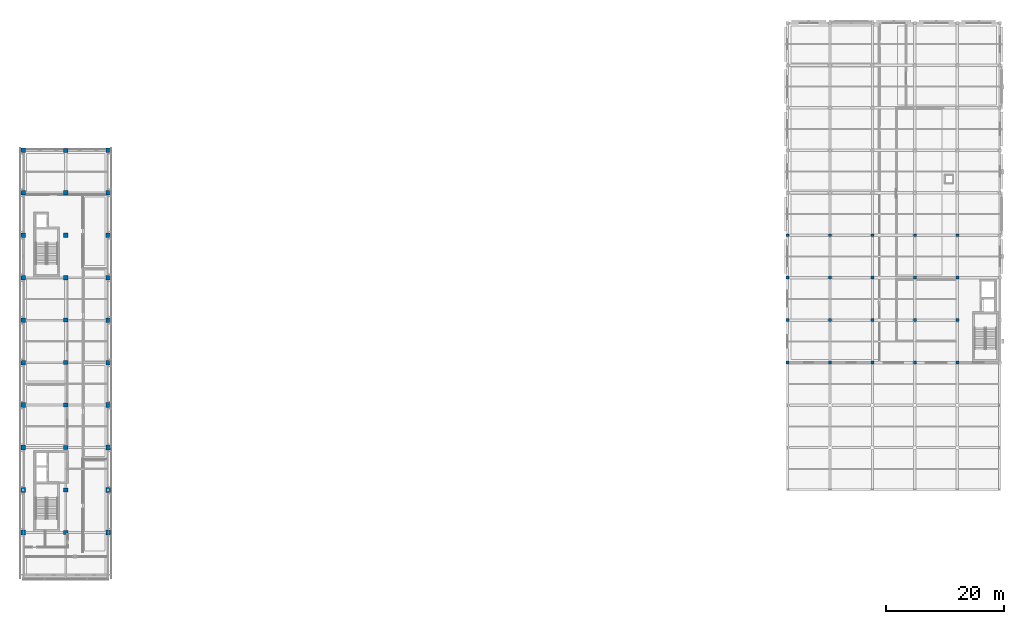
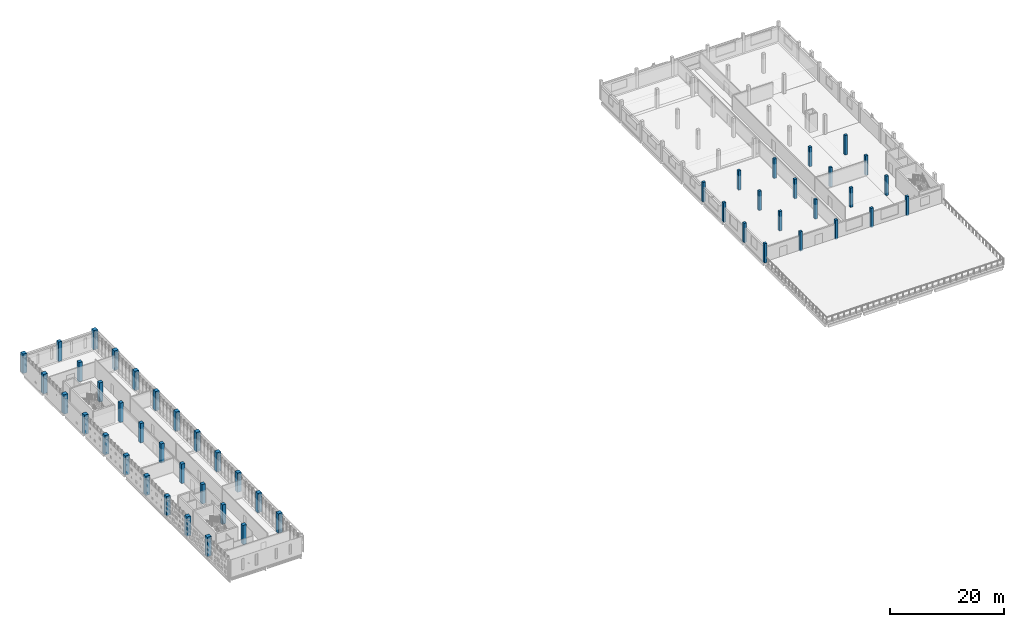
# One storey, part 1 of 33: 50 columns.
"""IFC4 building model written with IfcOpenShell, lengths in metres."""

from ifc_helpers import new_model, si_unit, direction, frame, origin, origin_2d, place, context, subcontext, project, spatial, rectangle, extrude, material, material_profile, profile_set, type_object, element, save


model = new_model("IFC4")

# Units and contexts
model_context = context("Model", 3, precision=1e-05, world=origin(), true_north=direction((0.0, 1.0)))
body_context = subcontext(model_context, "Body", "Model", "MODEL_VIEW")
ifc_project = project(units=[si_unit("LENGTHUNIT", "METRE"), si_unit("AREAUNIT", "SQUARE_METRE"), si_unit("VOLUMEUNIT", "CUBIC_METRE"), si_unit("PLANEANGLEUNIT", "RADIAN"), si_unit("MASSUNIT", "GRAM", prefix="KILO")], contexts=[model_context])

# Site, building, storey
site_placement = place(None, origin())
site = spatial("IfcSite", under=ifc_project, at=site_placement, CompositionType="ELEMENT")
building_placement = place(site_placement, origin())
building = spatial("IfcBuilding", under=site, at=building_placement, Name="Valkovuoma Quantum and Materials Research Institute", CompositionType="ELEMENT")
storey_placement = place(building_placement, frame((0.0, 0.0, 21.43994140625)))
storey = spatial("IfcBuildingStorey", under=building, at=storey_placement, Name="L05", CompositionType="ELEMENT", Elevation=21.43994140625)

# Columns
ifc_material_1 = material(Name="Concrete C40/50", Category="concrete")
ifc_material_profile_1 = material_profile(ifc_material_1, rectangle(XDim=0.5, YDim=0.5, at=origin_2d()), Name="Concrete C40/50")
ifc_profile_set_1 = profile_set([ifc_material_profile_1], Name="Concrete C40/50")
column_type_1 = type_object("IfcColumnType", Name="Col-C-RC500", PredefinedType="COLUMN", material=ifc_profile_set_1)
for number, where, z_axis, x_axis, name in (
    (1, (129.60009765625, 57.60009765625, 0.0), (0.0, 0.0, 1.0), (1.0, 0.0, 0.0), "L05 column 19J"),
    (2, (129.60009765625, 64.800048828125, 0.0), (0.0, 0.0, 1.0), (1.0, 0.0, 0.0), "L05 column 19K"),
    (3, (129.60009765625, 72.0, 0.0), (0.0, 0.0, 1.0), (1.0, 0.0, 0.0), "L05 column 19L"),
    (4, (129.60009765625, 79.199951171875, 0.0), (0.0, 0.0, 1.0), (1.0, 0.0, 0.0), "L05 column 19M"),
    (5, (136.800048828125, 57.60009765625, 0.0), (0.0, 0.0, 1.0), (1.0, 0.0, 0.0), "L05 column 20J"),
    (6, (136.800048828125, 64.800048828125, 0.0), (0.0, 0.0, 1.0), (1.0, 0.0, 0.0), "L05 column 20K"),
    (7, (136.800048828125, 72.0, 0.0), (0.0, 0.0, 1.0), (1.0, 0.0, 0.0), "L05 column 20L"),
    (8, (136.800048828125, 79.199951171875, 0.0), (0.0, 0.0, 1.0), (1.0, 0.0, 0.0), "L05 column 20M"),
    (9, (144.0, 57.60009765625, 0.0), (0.0, 0.0, 1.0), (1.0, 0.0, 0.0), "L05 column 21J"),
    (10, (144.0, 64.800048828125, 0.0), (0.0, 0.0, 1.0), (1.0, 0.0, 0.0), "L05 column 21K"),
    (11, (144.0, 72.0, 0.0), (0.0, 0.0, 1.0), (1.0, 0.0, 0.0), "L05 column 21L"),
    (12, (144.0, 79.199951171875, 0.0), (0.0, 0.0, 1.0), (1.0, 0.0, 0.0), "L05 column 21M"),
    (13, (151.199951171875, 57.60009765625, 0.0), (0.0, 0.0, 1.0), (1.0, 0.0, 0.0), "L05 column 22J"),
    (14, (151.199951171875, 64.800048828125, 0.0), (0.0, 0.0, 1.0), (1.0, 0.0, 0.0), "L05 column 22K"),
    (15, (151.199951171875, 72.0, 0.0), (0.0, 0.0, 1.0), (1.0, 0.0, 0.0), "L05 column 22L"),
    (16, (151.199951171875, 79.199951171875, 0.0), (0.0, 0.0, 1.0), (1.0, 0.0, 0.0), "L05 column 22M"),
    (17, (158.39990234375, 57.60009765625, 0.0), (0.0, 0.0, 1.0), (1.0, 0.0, 0.0), "L05 column 23J"),
    (18, (158.39990234375, 64.800048828125, 0.0), (0.0, 0.0, 1.0), (1.0, 0.0, 0.0), "L05 column 23K"),
    (19, (158.39990234375, 72.0, 0.0), (0.0, 0.0, 1.0), (1.0, 0.0, 0.0), "L05 column 23L"),
    (20, (158.39990234375, 79.199951171875, 0.0), (0.0, 0.0, 1.0), (1.0, 0.0, 0.0), "L05 column 23M"),
):
    element("IfcColumn", number, at=place(storey_placement, frame(where, z_axis=z_axis, x_axis=x_axis)), inside=storey, type_object=column_type_1, Name=name, PredefinedType="COLUMN", context=body_context, shape_type="SweptSolid", body=[
        extrude(rectangle(XDim=0.5, YDim=0.5, at=origin_2d()), origin(), (0.0, 0.0, 1.0), 4.16015625),
    ])
ifc_material_2 = material(Name="Concrete C40/50", Category="concrete")
ifc_material_profile_2 = material_profile(ifc_material_2, rectangle(XDim=0.699951171875, YDim=0.699951171875, at=origin_2d()), Name="Concrete C40/50")
ifc_profile_set_2 = profile_set([ifc_material_profile_2], Name="Concrete C40/50")
column_type_2 = type_object("IfcColumnType", Name="Col-C-RC700", PredefinedType="COLUMN", material=ifc_profile_set_2)
for number, where, z_axis, x_axis, name in (
    (21, (7.199951171875, 28.800048828125, 0.0), (0.0, 0.0, 1.0), (1.0, 0.0, 0.0), "L05 column 02E"),
    (22, (7.199951171875, 36.0, 0.0), (0.0, 0.0, 1.0), (1.0, 0.0, 0.0), "L05 column 02F"),
    (23, (7.199951171875, 43.199951171875, 0.0), (0.0, 0.0, 1.0), (1.0, 0.0, 0.0), "L05 column 02G"),
    (24, (7.199951171875, 50.39990234375, 0.0), (0.0, 0.0, 1.0), (1.0, 0.0, 0.0), "L05 column 02H"),
    (25, (7.199951171875, 57.60009765625, 0.0), (0.0, 0.0, 1.0), (1.0, 0.0, 0.0), "L05 column 02J"),
    (26, (7.199951171875, 64.800048828125, 0.0), (0.0, 0.0, 1.0), (1.0, 0.0, 0.0), "L05 column 02K"),
    (27, (7.199951171875, 72.0, 0.0), (0.0, 0.0, 1.0), (1.0, 0.0, 0.0), "L05 column 02L"),
    (28, (7.199951171875, 79.199951171875, 0.0), (0.0, 0.0, 1.0), (1.0, 0.0, 0.0), "L05 column 02M"),
    (29, (7.199951171875, 86.39990234375, 0.0), (0.0, 0.0, 1.0), (1.0, 0.0, 0.0), "L05 column 02N"),
    (30, (7.199951171875, 93.60009765625, 0.0), (0.0, 0.0, 1.0), (1.0, 0.0, 0.0), "L05 column 02P"),
):
    element("IfcColumn", number, at=place(storey_placement, frame(where, z_axis=z_axis, x_axis=x_axis)), inside=storey, type_object=column_type_2, Name=name, PredefinedType="COLUMN", context=body_context, shape_type="SweptSolid", body=[
        extrude(rectangle(XDim=0.699951171875, YDim=0.699951171875, at=origin_2d()), origin(), (0.0, 0.0, 1.0), 4.16015625),
    ])
ifc_material_3 = material(Name="Concrete C50/60", Category="concrete")
ifc_material_profile_3 = material_profile(ifc_material_3, rectangle(XDim=0.800048828125, YDim=0.800048828125, at=origin_2d()), Name="Concrete C50/60")
ifc_profile_set_3 = profile_set([ifc_material_profile_3], Name="Concrete C50/60")
column_type_3 = type_object("IfcColumnType", Name="Col-C-RC800", PredefinedType="COLUMN", material=ifc_profile_set_3)
for number, where, z_axis, x_axis, name in (
    (31, (0.0, 28.800048828125, 0.0), (0.0, 0.0, 1.0), (1.0, 0.0, 0.0), "L05 column 01E"),
    (32, (0.0, 36.0, 0.0), (0.0, 0.0, 1.0), (1.0, 0.0, 0.0), "L05 column 01F"),
    (33, (0.0, 43.199951171875, 0.0), (0.0, 0.0, 1.0), (1.0, 0.0, 0.0), "L05 column 01G"),
    (34, (0.0, 50.39990234375, 0.0), (0.0, 0.0, 1.0), (1.0, 0.0, 0.0), "L05 column 01H"),
    (35, (0.0, 57.60009765625, 0.0), (0.0, 0.0, 1.0), (1.0, 0.0, 0.0), "L05 column 01J"),
    (36, (0.0, 64.800048828125, 0.0), (0.0, 0.0, 1.0), (1.0, 0.0, 0.0), "L05 column 01K"),
    (37, (0.0, 72.0, 0.0), (0.0, 0.0, 1.0), (1.0, 0.0, 0.0), "L05 column 01L"),
    (38, (0.0, 79.199951171875, 0.0), (0.0, 0.0, 1.0), (1.0, 0.0, 0.0), "L05 column 01M"),
    (39, (0.0, 86.39990234375, 0.0), (0.0, 0.0, 1.0), (1.0, 0.0, 0.0), "L05 column 01N"),
    (40, (0.0, 93.60009765625, 0.0), (0.0, 0.0, 1.0), (1.0, 0.0, 0.0), "L05 column 01P"),
    (41, (14.39990234375, 28.800048828125, 0.0), (0.0, 0.0, 1.0), (1.0, 0.0, 0.0), "L05 column 03E"),
    (42, (14.39990234375, 36.0, 0.0), (0.0, 0.0, 1.0), (1.0, 0.0, 0.0), "L05 column 03F"),
    (43, (14.39990234375, 43.199951171875, 0.0), (0.0, 0.0, 1.0), (1.0, 0.0, 0.0), "L05 column 03G"),
    (44, (14.39990234375, 50.39990234375, 0.0), (0.0, 0.0, 1.0), (1.0, 0.0, 0.0), "L05 column 03H"),
    (45, (14.39990234375, 57.60009765625, 0.0), (0.0, 0.0, 1.0), (1.0, 0.0, 0.0), "L05 column 03J"),
    (46, (14.39990234375, 64.800048828125, 0.0), (0.0, 0.0, 1.0), (1.0, 0.0, 0.0), "L05 column 03K"),
    (47, (14.39990234375, 72.0, 0.0), (0.0, 0.0, 1.0), (1.0, 0.0, 0.0), "L05 column 03L"),
    (48, (14.39990234375, 79.199951171875, 0.0), (0.0, 0.0, 1.0), (1.0, 0.0, 0.0), "L05 column 03M"),
    (49, (14.39990234375, 86.39990234375, 0.0), (0.0, 0.0, 1.0), (1.0, 0.0, 0.0), "L05 column 03N"),
    (50, (14.39990234375, 93.60009765625, 0.0), (0.0, 0.0, 1.0), (1.0, 0.0, 0.0), "L05 column 03P"),
):
    element("IfcColumn", number, at=place(storey_placement, frame(where, z_axis=z_axis, x_axis=x_axis)), inside=storey, type_object=column_type_3, Name=name, PredefinedType="COLUMN", context=body_context, shape_type="SweptSolid", body=[
        extrude(rectangle(XDim=0.800048828125, YDim=0.800048828125, at=origin_2d()), origin(), (0.0, 0.0, 1.0), 4.16015625),
    ])

save(model, "model.ifc")
